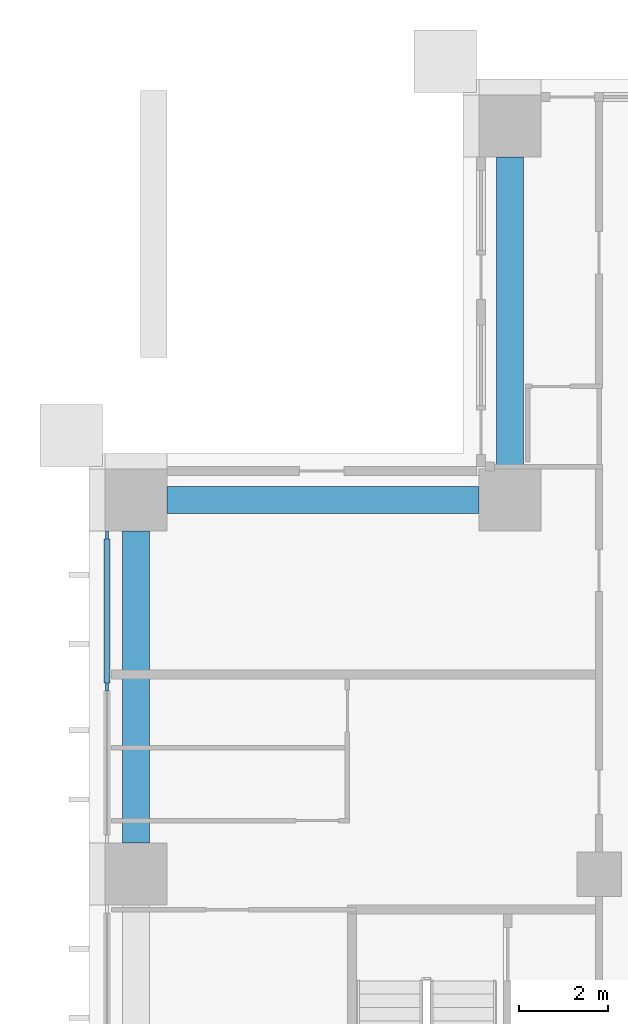
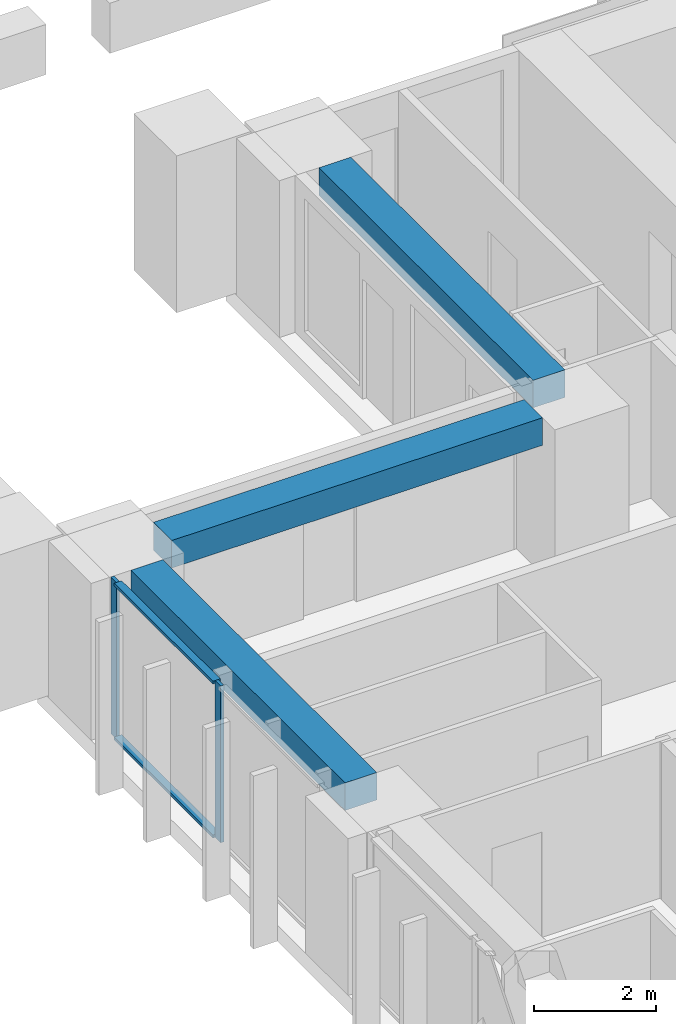
# One storey, part 5 of 18: 4 members, 3 beams, 1 element without a shape of its own.
"""IFC4 building model written with IfcOpenShell, lengths in metres."""

from ifc_helpers import new_model, si_unit, direction, frame, origin, origin_2d, place, context, subcontext, project, spatial, rectangle, extrude, material, material_profile, profile_set, type_object, element, aggregate, save


model = new_model("IFC4")

# Units and contexts
model_context = context("Model", 3, precision=1e-05, world=origin(), true_north=direction((0.0, 1.0)))
body_context = subcontext(model_context, "Body", "Model", "MODEL_VIEW")
ifc_project = project(units=[si_unit("LENGTHUNIT", "METRE"), si_unit("AREAUNIT", "SQUARE_METRE"), si_unit("VOLUMEUNIT", "CUBIC_METRE"), si_unit("PLANEANGLEUNIT", "RADIAN"), si_unit("MASSUNIT", "GRAM", prefix="KILO")], contexts=[model_context])

# Site, building, storey
site_placement = place(None, origin())
site = spatial("IfcSite", under=ifc_project, at=site_placement, CompositionType="ELEMENT")
building_placement = place(site_placement, origin())
building = spatial("IfcBuilding", under=site, at=building_placement, Name="Vermilion Ogive Tower", CompositionType="ELEMENT")
storey_placement = place(building_placement, frame((0.0, 0.0, 34.5)))
storey = spatial("IfcBuildingStorey", under=building, at=storey_placement, Name="L06", CompositionType="ELEMENT", Elevation=34.5)

# Curtain wall, members
ifc_material_1 = material(Name="Low-iron laminated glazing in aluminium frame", Category="aluminium")
curtain_wall_type = type_object("IfcCurtainWallType", Name="Curtain wall CW7", PredefinedType="NOTDEFINED", material=ifc_material_1)
curtain_wall_placement = place(storey_placement, origin())
curtain_wall = element("IfcCurtainWall", 1, at=curtain_wall_placement, inside=storey, type_object=curtain_wall_type, Name="Glazed skin W1", PredefinedType="NOTDEFINED")
ifc_material_2 = material(Name="Aluminium mullion", Category="aluminium")
ifc_material_profile_1 = material_profile(ifc_material_2, rectangle(XDim=0.06005859375, YDim=0.179931640625, at=origin_2d()), Name="AL 60x180")
ifc_profile_set_1 = profile_set([ifc_material_profile_1], Name="Aluminium mullion")
member_type_1 = type_object("IfcMemberType", Name="CW7 mullion 60x180", PredefinedType="MULLION", material=ifc_profile_set_1)
member_1_placement = place(storey_placement, frame((-25.85009765625, 11.81005859375, 0.0), z_axis=(0.0, 0.0, 1.0), x_axis=(1.0, 0.0, 0.0)))
member_1 = element("IfcMember", 2, at=member_1_placement, type_object=member_type_1, Name="CW7-W1 mullion 1", PredefinedType="MULLION", context=body_context, shape_type="SweptSolid", body=[
    extrude(rectangle(XDim=0.06005859375, YDim=0.179931640625, at=origin_2d()), origin(), (0.0, 0.0, 1.0), 3.1298828125),
])
member_2_placement = place(storey_placement, frame((-25.85009765625, 8.39990234375, 0.0), z_axis=(0.0, 0.0, 1.0), x_axis=(1.0, 0.0, 0.0)))
member_2 = element("IfcMember", 3, at=member_2_placement, type_object=member_type_1, Name="CW7-W1 mullion 2", PredefinedType="MULLION", context=body_context, shape_type="SweptSolid", body=[
    extrude(rectangle(XDim=0.06005859375, YDim=0.179931640625, at=origin_2d()), origin(), (0.0, 0.0, 1.0), 3.1298828125),
])
ifc_material_3 = material(Name="Aluminium transom", Category="aluminium")
ifc_material_profile_2 = material_profile(ifc_material_3, rectangle(XDim=0.139892578125, YDim=0.06005859375, at=origin_2d()), Name="AL 60x140")
ifc_profile_set_2 = profile_set([ifc_material_profile_2], Name="Aluminium transom")
member_type_2 = type_object("IfcMemberType", Name="CW7 transom 60x140", PredefinedType="USERDEFINED", material=ifc_profile_set_2)
member_3_placement = place(storey_placement, frame((-25.85009765625, 11.719970703125, 0.030029296875), z_axis=(0.0, -1.0, 0.0), x_axis=(1.0, 0.0, 0.0)))
member_3 = element("IfcMember", 4, at=member_3_placement, type_object=member_type_2, Name="CW7-W1 transom 1.1", ObjectType="TRANSOM", PredefinedType="USERDEFINED", context=body_context, shape_type="SweptSolid", body=[
    extrude(rectangle(XDim=0.139892578125, YDim=0.06005859375, at=origin_2d()), origin(), (0.0, 0.0, 1.0), 3.22998046875),
])
member_4_placement = place(storey_placement, frame((-25.85009765625, 11.719970703125, 3.10009765625), z_axis=(0.0, -1.0, 0.0), x_axis=(1.0, 0.0, 0.0)))
member_4 = element("IfcMember", 5, at=member_4_placement, type_object=member_type_2, Name="CW7-W1 transom 1.2", ObjectType="TRANSOM", PredefinedType="USERDEFINED", context=body_context, shape_type="SweptSolid", body=[
    extrude(rectangle(XDim=0.139892578125, YDim=0.06005859375, at=origin_2d()), origin(), (0.0, 0.0, 1.0), 3.22998046875),
])
aggregate(curtain_wall, [member_1, member_2, member_3, member_4])

# Beams
ifc_material_4 = material(Name="Concrete B45", Category="concrete")
ifc_material_profile_3 = material_profile(ifc_material_4, rectangle(XDim=0.60009765625, YDim=0.550048828125, at=origin_2d()), Name="600 x 550")
ifc_profile_set_3 = profile_set([ifc_material_profile_3], Name="Concrete B45")
beam_type = type_object("IfcBeamType", Name="Edge beam 600 x 550 B45", PredefinedType="BEAM", material=ifc_profile_set_3)
for number, where, z_axis, x_axis, name in (
    (6, (-16.800048828125, 20.300048828125, 2.85498046875), (0.0, -1.0, 0.0), (1.0, 0.0, 0.0), "L06-EB-12"),
    (7, (-17.5, 12.60009765625, 2.85498046875), (-1.0, 0.0, 0.0), (0.0, -1.0, 0.0), "L06-EB-13"),
    (8, (-25.199951171875, 11.89990234375, 2.85498046875), (0.0, -1.0, 0.0), (1.0, 0.0, 0.0), "L06-EB-14"),
):
    element("IfcBeam", number, at=place(storey_placement, frame(where, z_axis=z_axis, x_axis=x_axis)), inside=storey, type_object=beam_type, Name=name, PredefinedType="BEAM", context=body_context, shape_type="SweptSolid", body=[
        extrude(rectangle(XDim=0.60009765625, YDim=0.550048828125, at=origin_2d()), origin(), (0.0, 0.0, 1.0), 7.0),
    ])

save(model, "model.ifc")
